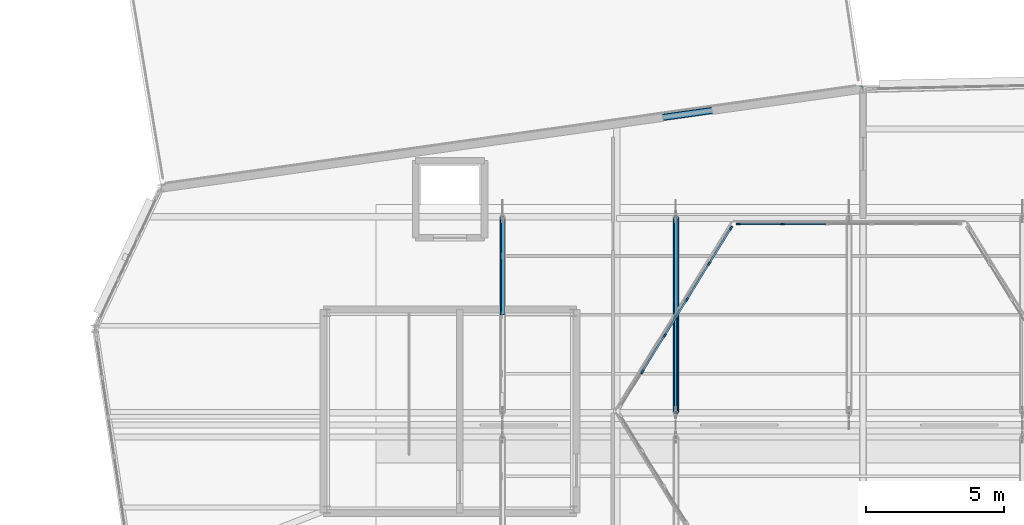
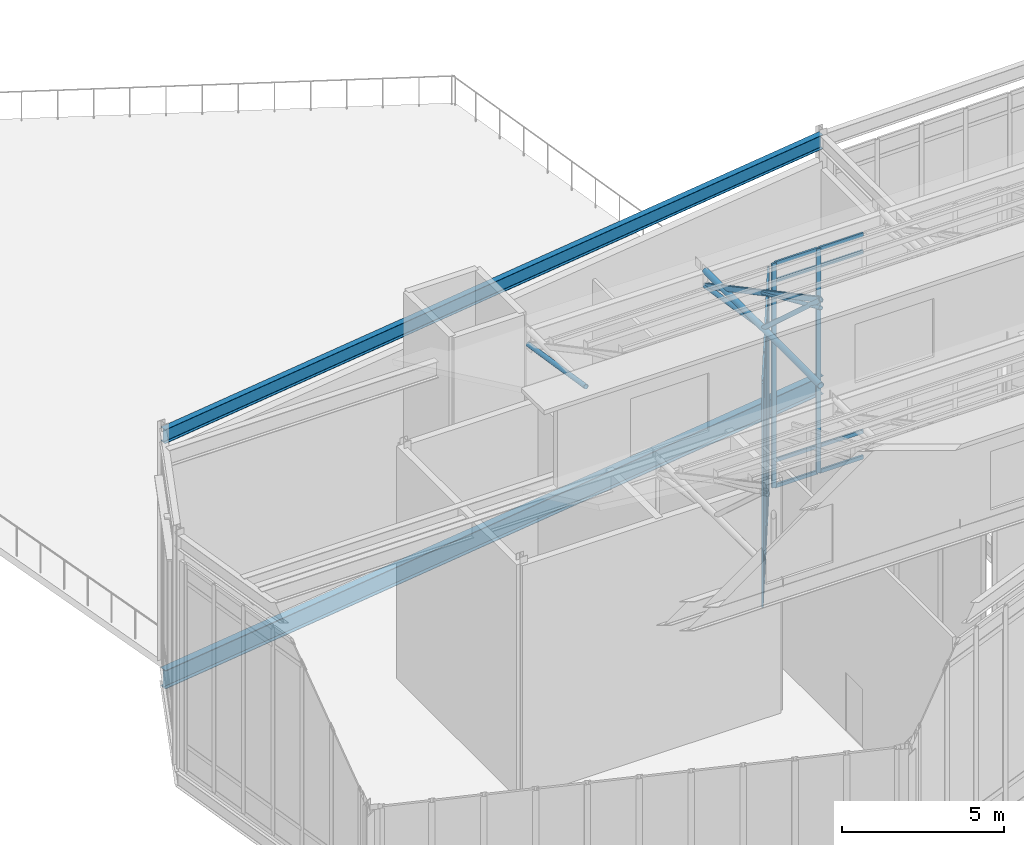
# One storey, part 23 of 66: 37 members, 2 beams, 2 elements without a shape of their own.
"""IFC4 building model written with IfcOpenShell, lengths in metres."""

from ifc_helpers import new_model, si_unit, direction, frame, origin, origin_2d, place, context, subcontext, project, spatial, rectangle, hollow_rectangle, hollow_circle, i_section, extrude, material, material_profile, profile_set, type_object, element, aggregate, save


model = new_model("IFC4")

# Units and contexts
model_context = context("Model", 3, precision=1e-05, world=origin(), true_north=direction((0.0, 1.0)))
body_context = subcontext(model_context, "Body", "Model", "MODEL_VIEW")
ifc_project = project(units=[si_unit("LENGTHUNIT", "METRE"), si_unit("AREAUNIT", "SQUARE_METRE"), si_unit("VOLUMEUNIT", "CUBIC_METRE"), si_unit("PLANEANGLEUNIT", "RADIAN"), si_unit("MASSUNIT", "GRAM", prefix="KILO")], contexts=[model_context])

# Site, building, storey
site_placement = place(None, origin())
site = spatial("IfcSite", under=ifc_project, at=site_placement, CompositionType="ELEMENT")
building_placement = place(site_placement, origin())
building = spatial("IfcBuilding", under=site, at=building_placement, Name="Tameran Prism Museum", CompositionType="ELEMENT")
storey_placement = place(building_placement, frame((0.0, 0.0, 19.800048828125)))
storey = spatial("IfcBuildingStorey", under=building, at=storey_placement, Name="L04", CompositionType="ELEMENT", Elevation=19.800048828125)

# Beams
ifc_material_1 = material(Name="Steel Grade 300PLUS (300 MPa)", Category="steel")
ifc_material_profile_1 = material_profile(ifc_material_1, i_section(OverallWidth=0.208984375, OverallDepth=0.528076171875, WebThickness=0.009521484375, FlangeThickness=0.01318359375, FilletRadius=0.013916015625, at=origin_2d()))
ifc_profile_set_1 = profile_set([ifc_material_profile_1])
beam_type_1 = type_object("IfcBeamType", Name="BM-SP530B", PredefinedType="SPANDREL", material=ifc_profile_set_1)
beam_1_placement = place(storey_placement, frame((77.5, 48.199951171875, 8.505859375), z_axis=(-0.990181921375, -0.139784700815, 0.0), x_axis=(0.139784700815, -0.990181921375, 0.0)))
element("IfcBeam", 1, at=beam_1_placement, inside=storey, type_object=beam_type_1, Name="Roof Ring Beam RB-1165", PredefinedType="SPANDREL", context=body_context, shape_type="SweptSolid", body=[
    extrude(i_section(OverallWidth=0.208984375, OverallDepth=0.528076171875, WebThickness=0.009521484375, FlangeThickness=0.01318359375, FilletRadius=0.013916015625, at=origin_2d()), origin(), (0.0, 0.0, 1.0), 25.7529296875),
])
ifc_material_2 = material(Name="Steel Grade 350 (350 MPa)", Category="steel")
ifc_material_profile_2 = material_profile(ifc_material_2, i_section(OverallWidth=0.25, OverallDepth=0.699951171875, WebThickness=0.010009765625, FlangeThickness=0.02001953125, at=origin_2d()))
ifc_profile_set_2 = profile_set([ifc_material_profile_2])
beam_type_2 = type_object("IfcBeamType", Name="BM-SP700", PredefinedType="SPANDREL", material=ifc_profile_set_2)
beam_2_placement = place(storey_placement, frame((77.5, 48.199951171875, -0.630126953125), z_axis=(-0.990181921375, -0.139784700815, 0.0), x_axis=(0.139784700815, -0.990181921375, 0.0)))
element("IfcBeam", 2, at=beam_2_placement, inside=storey, type_object=beam_type_2, Name="Perimeter Spandrel SP-1159", PredefinedType="SPANDREL", context=body_context, shape_type="SweptSolid", body=[
    extrude(i_section(OverallWidth=0.25, OverallDepth=0.699951171875, WebThickness=0.010009765625, FlangeThickness=0.02001953125, at=origin_2d()), origin(), (0.0, 0.0, 1.0), 25.7529296875),
])

# Curtain wall, members
ifc_material_3 = material(Name="Anodised Aluminium 6063-T6 and Cyclone Solar Glass", Category="aluminium")
curtain_wall_type_1 = type_object("IfcCurtainWallType", Name="CW-ATR-810x844", PredefinedType="USERDEFINED", material=ifc_material_3)
curtain_wall_1_placement = place(storey_placement, origin())
curtain_wall_1 = element("IfcCurtainWall", 3, at=curtain_wall_1_placement, inside=storey, type_object=curtain_wall_type_1, Name="Unitised Curtain Wall CW-019", ObjectType="UNITISED CURTAIN WALL", PredefinedType="USERDEFINED")
ifc_material_4 = material(Name="Anodised Aluminium Alloy 6063-T6", Category="aluminium")
ifc_material_profile_3 = material_profile(ifc_material_4, rectangle(XDim=0.06494140625, YDim=0.159912109375, at=origin_2d()))
ifc_profile_set_3 = profile_set([ifc_material_profile_3])
member_type_1 = type_object("IfcMemberType", Name="CW-MUL-A", PredefinedType="MULLION", material=ifc_profile_set_3)
member_1_placement = place(storey_placement, frame((74.570068359375, 43.300048828125, 0.0), z_axis=(0.0, 0.0, 1.0), x_axis=(0.0, -1.0, 0.0)))
member_1 = element("IfcMember", 4, at=member_1_placement, type_object=member_type_1, Name="CW-019 mullion 5", PredefinedType="MULLION", context=body_context, shape_type="SweptSolid", body=[
    extrude(rectangle(XDim=0.06494140625, YDim=0.159912109375, at=origin_2d()), origin(), (0.0, 0.0, 1.0), 8.43994140625),
])
member_2_placement = place(storey_placement, frame((72.982421875, 43.300048828125, 0.0), z_axis=(0.0, 0.0, 1.0), x_axis=(0.0, -1.0, 0.0)))
member_2 = element("IfcMember", 5, at=member_2_placement, type_object=member_type_1, Name="CW-019 mullion 6", PredefinedType="MULLION", context=body_context, shape_type="SweptSolid", body=[
    extrude(rectangle(XDim=0.06494140625, YDim=0.159912109375, at=origin_2d()), origin(), (0.0, 0.0, 1.0), 8.43994140625),
])

ifc_material_5 = material(Name="Anodised Aluminium 6063-T6 and Cyclone Solar Glass", Category="aluminium")
curtain_wall_type_2 = type_object("IfcCurtainWallType", Name="CW-ATR-769x844", PredefinedType="USERDEFINED", material=ifc_material_5)
curtain_wall_2_placement = place(storey_placement, origin())
curtain_wall_2 = element("IfcCurtainWall", 6, at=curtain_wall_2_placement, inside=storey, type_object=curtain_wall_type_2, Name="Unitised Curtain Wall CW-020", ObjectType="UNITISED CURTAIN WALL", PredefinedType="USERDEFINED")
member_3_placement = place(storey_placement, frame((72.703857421875, 43.144287109375, 0.0), z_axis=(0.0, 0.0, 1.0), x_axis=(0.850791158897, -0.525503952357, 0.0)))
member_3 = element("IfcMember", 7, at=member_3_placement, type_object=member_type_1, Name="CW-020 mullion 1", PredefinedType="MULLION", context=body_context, shape_type="SweptSolid", body=[
    extrude(rectangle(XDim=0.06494140625, YDim=0.159912109375, at=origin_2d()), origin(), (0.0, 0.0, 1.0), 8.43994140625),
])
member_4_placement = place(storey_placement, frame((71.91259765625, 41.86328125, 0.0), z_axis=(0.0, 0.0, 1.0), x_axis=(0.850791158897, -0.525503952357, 0.0)))
member_4 = element("IfcMember", 8, at=member_4_placement, type_object=member_type_1, Name="CW-020 mullion 2", PredefinedType="MULLION", context=body_context, shape_type="SweptSolid", body=[
    extrude(rectangle(XDim=0.06494140625, YDim=0.159912109375, at=origin_2d()), origin(), (0.0, 0.0, 1.0), 8.43994140625),
])
member_5_placement = place(storey_placement, frame((71.104248046875, 40.554443359375, 0.0), z_axis=(0.0, 0.0, 1.0), x_axis=(0.850791158897, -0.525503952357, 0.0)))
member_5 = element("IfcMember", 9, at=member_5_placement, type_object=member_type_1, Name="CW-020 mullion 3", PredefinedType="MULLION", context=body_context, shape_type="SweptSolid", body=[
    extrude(rectangle(XDim=0.06494140625, YDim=0.159912109375, at=origin_2d()), origin(), (0.0, 0.0, 1.0), 8.43994140625),
])
member_6_placement = place(storey_placement, frame((70.2958984375, 39.24560546875, 0.0), z_axis=(0.0, 0.0, 1.0), x_axis=(0.850791158897, -0.525503952357, 0.0)))
member_6 = element("IfcMember", 10, at=member_6_placement, type_object=member_type_1, Name="CW-020 mullion 4", PredefinedType="MULLION", context=body_context, shape_type="SweptSolid", body=[
    extrude(rectangle(XDim=0.06494140625, YDim=0.159912109375, at=origin_2d()), origin(), (0.0, 0.0, 1.0), 8.43994140625),
])
member_7_placement = place(storey_placement, frame((69.4873046875, 37.936767578125, 0.0), z_axis=(0.0, 0.0, 1.0), x_axis=(0.850791158897, -0.525503952357, 0.0)))
member_7 = element("IfcMember", 11, at=member_7_placement, type_object=member_type_1, Name="CW-020 mullion 5", PredefinedType="MULLION", context=body_context, shape_type="SweptSolid", body=[
    extrude(rectangle(XDim=0.06494140625, YDim=0.159912109375, at=origin_2d()), origin(), (0.0, 0.0, 1.0), 8.43994140625),
])

# Member
ifc_material_6 = material(Name="Anodised Aluminium Alloy 6063-T6", Category="aluminium")
ifc_material_profile_4 = material_profile(ifc_material_6, rectangle(XDim=0.06494140625, YDim=0.139892578125, at=origin_2d()))
ifc_profile_set_4 = profile_set([ifc_material_profile_4])
member_type_2 = type_object("IfcMemberType", Name="CW-TRN-A", PredefinedType="USERDEFINED", material=ifc_profile_set_4)
member_8_placement = place(storey_placement, frame((76.157470703125, 43.300048828125, 0.032470703125), z_axis=(-1.0, 0.0, 0.0), x_axis=(0.0, -1.0, 0.0)))
member_8 = element("IfcMember", 12, at=member_8_placement, type_object=member_type_2, Name="CW-019 transom 4.1", ObjectType="TRANSOM", PredefinedType="USERDEFINED", context=body_context, shape_type="SweptSolid", body=[
    extrude(rectangle(XDim=0.06494140625, YDim=0.139892578125, at=origin_2d()), origin(), (0.0, 0.0, 1.0), 1.554931640625),
])

member_9_placement = place(storey_placement, frame((76.157470703125, 43.300048828125, 1.0), z_axis=(-1.0, 0.0, 0.0), x_axis=(0.0, -1.0, 0.0)))
member_9 = element("IfcMember", 13, at=member_9_placement, type_object=member_type_2, Name="CW-019 transom 4.2", ObjectType="TRANSOM", PredefinedType="USERDEFINED", context=body_context, shape_type="SweptSolid", body=[
    extrude(rectangle(XDim=0.06494140625, YDim=0.139892578125, at=origin_2d()), origin(), (0.0, 0.0, 1.0), 1.554931640625),
])

member_10_placement = place(storey_placement, frame((76.157470703125, 43.300048828125, 7.760009765625), z_axis=(-1.0, 0.0, 0.0), x_axis=(0.0, -1.0, 0.0)))
member_10 = element("IfcMember", 14, at=member_10_placement, type_object=member_type_2, Name="CW-019 transom 4.3", ObjectType="TRANSOM", PredefinedType="USERDEFINED", context=body_context, shape_type="SweptSolid", body=[
    extrude(rectangle(XDim=0.06494140625, YDim=0.139892578125, at=origin_2d()), origin(), (0.0, 0.0, 1.0), 1.554931640625),
])

member_11_placement = place(storey_placement, frame((76.157470703125, 43.300048828125, 8.407470703125), z_axis=(-1.0, 0.0, 0.0), x_axis=(0.0, -1.0, 0.0)))
member_11 = element("IfcMember", 15, at=member_11_placement, type_object=member_type_2, Name="CW-019 transom 4.4", ObjectType="TRANSOM", PredefinedType="USERDEFINED", context=body_context, shape_type="SweptSolid", body=[
    extrude(rectangle(XDim=0.06494140625, YDim=0.139892578125, at=origin_2d()), origin(), (0.0, 0.0, 1.0), 1.554931640625),
])

member_12_placement = place(storey_placement, frame((74.53759765625, 43.300048828125, 0.032470703125), z_axis=(-1.0, 0.0, 0.0), x_axis=(0.0, -1.0, 0.0)))
member_12 = element("IfcMember", 16, at=member_12_placement, type_object=member_type_2, Name="CW-019 transom 5.1", ObjectType="TRANSOM", PredefinedType="USERDEFINED", context=body_context, shape_type="SweptSolid", body=[
    extrude(rectangle(XDim=0.06494140625, YDim=0.139892578125, at=origin_2d()), origin(), (0.0, 0.0, 1.0), 1.522705078125),
])

member_13_placement = place(storey_placement, frame((74.53759765625, 43.300048828125, 1.0), z_axis=(-1.0, 0.0, 0.0), x_axis=(0.0, -1.0, 0.0)))
member_13 = element("IfcMember", 17, at=member_13_placement, type_object=member_type_2, Name="CW-019 transom 5.2", ObjectType="TRANSOM", PredefinedType="USERDEFINED", context=body_context, shape_type="SweptSolid", body=[
    extrude(rectangle(XDim=0.06494140625, YDim=0.139892578125, at=origin_2d()), origin(), (0.0, 0.0, 1.0), 1.522705078125),
])

member_14_placement = place(storey_placement, frame((74.53759765625, 43.300048828125, 7.760009765625), z_axis=(-1.0, 0.0, 0.0), x_axis=(0.0, -1.0, 0.0)))
member_14 = element("IfcMember", 18, at=member_14_placement, type_object=member_type_2, Name="CW-019 transom 5.3", ObjectType="TRANSOM", PredefinedType="USERDEFINED", context=body_context, shape_type="SweptSolid", body=[
    extrude(rectangle(XDim=0.06494140625, YDim=0.139892578125, at=origin_2d()), origin(), (0.0, 0.0, 1.0), 1.522705078125),
])

member_15_placement = place(storey_placement, frame((74.53759765625, 43.300048828125, 8.407470703125), z_axis=(-1.0, 0.0, 0.0), x_axis=(0.0, -1.0, 0.0)))
member_15 = element("IfcMember", 19, at=member_15_placement, type_object=member_type_2, Name="CW-019 transom 5.4", ObjectType="TRANSOM", PredefinedType="USERDEFINED", context=body_context, shape_type="SweptSolid", body=[
    extrude(rectangle(XDim=0.06494140625, YDim=0.139892578125, at=origin_2d()), origin(), (0.0, 0.0, 1.0), 1.522705078125),
])

aggregate(curtain_wall_1, [member_1, member_2, member_8, member_9, member_10, member_11, member_12, member_13, member_14, member_15])

member_16_placement = place(storey_placement, frame((72.686767578125, 43.11669921875, 0.032470703125), z_axis=(-0.525467627301, -0.850813594543, 0.0), x_axis=(0.850813594543, -0.525467627301, 0.0)))
member_16 = element("IfcMember", 20, at=member_16_placement, type_object=member_type_2, Name="CW-020 transom 1.1", ObjectType="TRANSOM", PredefinedType="USERDEFINED", context=body_context, shape_type="SweptSolid", body=[
    extrude(rectangle(XDim=0.06494140625, YDim=0.139892578125, at=origin_2d()), origin(), (0.0, 0.0, 1.0), 1.440673828125),
])

member_17_placement = place(storey_placement, frame((72.686767578125, 43.11669921875, 1.0), z_axis=(-0.525467627301, -0.850813594543, 0.0), x_axis=(0.850813594543, -0.525467627301, 0.0)))
member_17 = element("IfcMember", 21, at=member_17_placement, type_object=member_type_2, Name="CW-020 transom 1.2", ObjectType="TRANSOM", PredefinedType="USERDEFINED", context=body_context, shape_type="SweptSolid", body=[
    extrude(rectangle(XDim=0.06494140625, YDim=0.139892578125, at=origin_2d()), origin(), (0.0, 0.0, 1.0), 1.440673828125),
])

member_18_placement = place(storey_placement, frame((72.686767578125, 43.11669921875, 7.760009765625), z_axis=(-0.525467627301, -0.850813594543, 0.0), x_axis=(0.850813594543, -0.525467627301, 0.0)))
member_18 = element("IfcMember", 22, at=member_18_placement, type_object=member_type_2, Name="CW-020 transom 1.3", ObjectType="TRANSOM", PredefinedType="USERDEFINED", context=body_context, shape_type="SweptSolid", body=[
    extrude(rectangle(XDim=0.06494140625, YDim=0.139892578125, at=origin_2d()), origin(), (0.0, 0.0, 1.0), 1.440673828125),
])

member_19_placement = place(storey_placement, frame((72.686767578125, 43.11669921875, 8.407470703125), z_axis=(-0.525467627301, -0.850813594543, 0.0), x_axis=(0.850813594543, -0.525467627301, 0.0)))
member_19 = element("IfcMember", 23, at=member_19_placement, type_object=member_type_2, Name="CW-020 transom 1.4", ObjectType="TRANSOM", PredefinedType="USERDEFINED", context=body_context, shape_type="SweptSolid", body=[
    extrude(rectangle(XDim=0.06494140625, YDim=0.139892578125, at=origin_2d()), origin(), (0.0, 0.0, 1.0), 1.440673828125),
])

member_20_placement = place(storey_placement, frame((71.8955078125, 41.83544921875, 0.032470703125), z_axis=(-0.525492880722, -0.850797997359, 0.0), x_axis=(0.850797997359, -0.525492880722, 0.0)))
member_20 = element("IfcMember", 24, at=member_20_placement, type_object=member_type_2, Name="CW-020 transom 2.1", ObjectType="TRANSOM", PredefinedType="USERDEFINED", context=body_context, shape_type="SweptSolid", body=[
    extrude(rectangle(XDim=0.06494140625, YDim=0.139892578125, at=origin_2d()), origin(), (0.0, 0.0, 1.0), 1.47314453125),
])

member_21_placement = place(storey_placement, frame((71.8955078125, 41.83544921875, 1.0), z_axis=(-0.525492880722, -0.850797997359, 0.0), x_axis=(0.850797997359, -0.525492880722, 0.0)))
member_21 = element("IfcMember", 25, at=member_21_placement, type_object=member_type_2, Name="CW-020 transom 2.2", ObjectType="TRANSOM", PredefinedType="USERDEFINED", context=body_context, shape_type="SweptSolid", body=[
    extrude(rectangle(XDim=0.06494140625, YDim=0.139892578125, at=origin_2d()), origin(), (0.0, 0.0, 1.0), 1.47314453125),
])

member_22_placement = place(storey_placement, frame((71.8955078125, 41.83544921875, 7.760009765625), z_axis=(-0.525492880722, -0.850797997359, 0.0), x_axis=(0.850797997359, -0.525492880722, 0.0)))
member_22 = element("IfcMember", 26, at=member_22_placement, type_object=member_type_2, Name="CW-020 transom 2.3", ObjectType="TRANSOM", PredefinedType="USERDEFINED", context=body_context, shape_type="SweptSolid", body=[
    extrude(rectangle(XDim=0.06494140625, YDim=0.139892578125, at=origin_2d()), origin(), (0.0, 0.0, 1.0), 1.47314453125),
])

member_23_placement = place(storey_placement, frame((71.8955078125, 41.83544921875, 8.407470703125), z_axis=(-0.525492880722, -0.850797997359, 0.0), x_axis=(0.850797997359, -0.525492880722, 0.0)))
member_23 = element("IfcMember", 27, at=member_23_placement, type_object=member_type_2, Name="CW-020 transom 2.4", ObjectType="TRANSOM", PredefinedType="USERDEFINED", context=body_context, shape_type="SweptSolid", body=[
    extrude(rectangle(XDim=0.06494140625, YDim=0.139892578125, at=origin_2d()), origin(), (0.0, 0.0, 1.0), 1.47314453125),
])

member_24_placement = place(storey_placement, frame((71.087158203125, 40.52685546875, 0.032470703125), z_axis=(-0.525418798442, -0.850843749606, 0.0), x_axis=(0.850843749606, -0.525418798442, 0.0)))
member_24 = element("IfcMember", 28, at=member_24_placement, type_object=member_type_2, Name="CW-020 transom 3.1", ObjectType="TRANSOM", PredefinedType="USERDEFINED", context=body_context, shape_type="SweptSolid", body=[
    extrude(rectangle(XDim=0.06494140625, YDim=0.139892578125, at=origin_2d()), origin(), (0.0, 0.0, 1.0), 1.473388671875),
])

member_25_placement = place(storey_placement, frame((71.087158203125, 40.52685546875, 1.0), z_axis=(-0.525418798442, -0.850843749606, 0.0), x_axis=(0.850843749606, -0.525418798442, 0.0)))
member_25 = element("IfcMember", 29, at=member_25_placement, type_object=member_type_2, Name="CW-020 transom 3.2", ObjectType="TRANSOM", PredefinedType="USERDEFINED", context=body_context, shape_type="SweptSolid", body=[
    extrude(rectangle(XDim=0.06494140625, YDim=0.139892578125, at=origin_2d()), origin(), (0.0, 0.0, 1.0), 1.473388671875),
])

member_26_placement = place(storey_placement, frame((71.087158203125, 40.52685546875, 7.760009765625), z_axis=(-0.525418798442, -0.850843749606, 0.0), x_axis=(0.850843749606, -0.525418798442, 0.0)))
member_26 = element("IfcMember", 30, at=member_26_placement, type_object=member_type_2, Name="CW-020 transom 3.3", ObjectType="TRANSOM", PredefinedType="USERDEFINED", context=body_context, shape_type="SweptSolid", body=[
    extrude(rectangle(XDim=0.06494140625, YDim=0.139892578125, at=origin_2d()), origin(), (0.0, 0.0, 1.0), 1.473388671875),
])

member_27_placement = place(storey_placement, frame((71.087158203125, 40.52685546875, 8.407470703125), z_axis=(-0.525418798442, -0.850843749606, 0.0), x_axis=(0.850843749606, -0.525418798442, 0.0)))
member_27 = element("IfcMember", 31, at=member_27_placement, type_object=member_type_2, Name="CW-020 transom 3.4", ObjectType="TRANSOM", PredefinedType="USERDEFINED", context=body_context, shape_type="SweptSolid", body=[
    extrude(rectangle(XDim=0.06494140625, YDim=0.139892578125, at=origin_2d()), origin(), (0.0, 0.0, 1.0), 1.473388671875),
])

member_28_placement = place(storey_placement, frame((70.27880859375, 39.218017578125, 0.032470703125), z_axis=(-0.525538735192, -0.850769673774, 0.0), x_axis=(0.850769673774, -0.525538735192, 0.0)))
member_28 = element("IfcMember", 32, at=member_28_placement, type_object=member_type_2, Name="CW-020 transom 4.1", ObjectType="TRANSOM", PredefinedType="USERDEFINED", context=body_context, shape_type="SweptSolid", body=[
    extrude(rectangle(XDim=0.06494140625, YDim=0.139892578125, at=origin_2d()), origin(), (0.0, 0.0, 1.0), 1.4736328125),
])

member_29_placement = place(storey_placement, frame((70.27880859375, 39.218017578125, 1.0), z_axis=(-0.525538735192, -0.850769673774, 0.0), x_axis=(0.850769673774, -0.525538735192, 0.0)))
member_29 = element("IfcMember", 33, at=member_29_placement, type_object=member_type_2, Name="CW-020 transom 4.2", ObjectType="TRANSOM", PredefinedType="USERDEFINED", context=body_context, shape_type="SweptSolid", body=[
    extrude(rectangle(XDim=0.06494140625, YDim=0.139892578125, at=origin_2d()), origin(), (0.0, 0.0, 1.0), 1.4736328125),
])

member_30_placement = place(storey_placement, frame((70.27880859375, 39.218017578125, 7.760009765625), z_axis=(-0.525538735192, -0.850769673774, 0.0), x_axis=(0.850769673774, -0.525538735192, 0.0)))
member_30 = element("IfcMember", 34, at=member_30_placement, type_object=member_type_2, Name="CW-020 transom 4.3", ObjectType="TRANSOM", PredefinedType="USERDEFINED", context=body_context, shape_type="SweptSolid", body=[
    extrude(rectangle(XDim=0.06494140625, YDim=0.139892578125, at=origin_2d()), origin(), (0.0, 0.0, 1.0), 1.4736328125),
])

member_31_placement = place(storey_placement, frame((70.27880859375, 39.218017578125, 8.407470703125), z_axis=(-0.525538735192, -0.850769673774, 0.0), x_axis=(0.850769673774, -0.525538735192, 0.0)))
member_31 = element("IfcMember", 35, at=member_31_placement, type_object=member_type_2, Name="CW-020 transom 4.4", ObjectType="TRANSOM", PredefinedType="USERDEFINED", context=body_context, shape_type="SweptSolid", body=[
    extrude(rectangle(XDim=0.06494140625, YDim=0.139892578125, at=origin_2d()), origin(), (0.0, 0.0, 1.0), 1.4736328125),
])

aggregate(curtain_wall_2, [member_3, member_4, member_5, member_6, member_7, member_16, member_17, member_18, member_19, member_20, member_21, member_22, member_23, member_24, member_25, member_26, member_27, member_28, member_29, member_30, member_31])

# Members
ifc_material_7 = material(Name="Steel Grade C350L0 (350 MPa)", Category="steel")
ifc_material_profile_5 = material_profile(ifc_material_7, hollow_circle(Radius=0.084228515625, WallThickness=0.007080078125, at=origin_2d()))
ifc_profile_set_5 = profile_set([ifc_material_profile_5])
member_type_3 = type_object("IfcMemberType", Name="MM-BR-CHS168", PredefinedType="BRACE", material=ifc_profile_set_5)
member_32_placement = place(storey_placement, frame((64.39990234375, 40.0, 8.785888671875), z_axis=(0.0, 0.987767358806, -0.155934745575), x_axis=(-1.0, 0.0, 0.0)))
element("IfcMember", 36, at=member_32_placement, inside=storey, type_object=member_type_3, Name="Sawtooth Brace STM-0195", PredefinedType="BRACE", context=body_context, shape_type="SweptSolid", body=[
    extrude(hollow_circle(Radius=0.084228515625, WallThickness=0.007080078125, at=origin_2d()), origin(), (0.0, 0.0, 1.0), 3.604248046875),
])
member_33_placement = place(storey_placement, frame((70.699951171875, 40.0, 8.785888671875), z_axis=(0.0, -0.739772474497, 0.672857106656), x_axis=(1.0, 0.0, 0.0)))
element("IfcMember", 37, at=member_33_placement, inside=storey, type_object=member_type_3, Name="Sawtooth Brace STM-0201", PredefinedType="BRACE", context=body_context, shape_type="SweptSolid", body=[
    extrude(hollow_circle(Radius=0.084228515625, WallThickness=0.007080078125, at=origin_2d()), origin(), (0.0, 0.0, 1.0), 4.812255859375),
])
member_34_placement = place(storey_placement, frame((70.699951171875, 40.0, 8.785888671875), z_axis=(0.0, 0.987767358806, -0.155934745575), x_axis=(-1.0, 0.0, 0.0)))
element("IfcMember", 38, at=member_34_placement, inside=storey, type_object=member_type_3, Name="Sawtooth Brace STM-0202", PredefinedType="BRACE", context=body_context, shape_type="SweptSolid", body=[
    extrude(hollow_circle(Radius=0.084228515625, WallThickness=0.007080078125, at=origin_2d()), origin(), (0.0, 0.0, 1.0), 3.604248046875),
])
ifc_material_8 = material(Name="Steel Grade C350L0 (350 MPa)", Category="steel")
ifc_material_profile_6 = material_profile(ifc_material_8, hollow_circle(Radius=0.109619140625, WallThickness=0.00830078125, at=origin_2d()))
ifc_profile_set_6 = profile_set([ifc_material_profile_6])
member_type_4 = type_object("IfcMemberType", Name="MM-CH-CHS219", PredefinedType="CHORD", material=ifc_profile_set_6)
member_35_placement = place(storey_placement, frame((70.699951171875, 36.43994140625, 8.785888671875), z_axis=(0.0, 1.0, 0.0), x_axis=(-1.0, 0.0, 0.0)))
element("IfcMember", 39, at=member_35_placement, inside=storey, type_object=member_type_4, Name="Sawtooth Chord STM-0197", PredefinedType="CHORD", context=body_context, shape_type="SweptSolid", body=[
    extrude(hollow_circle(Radius=0.109619140625, WallThickness=0.00830078125, at=origin_2d()), origin(), (0.0, 0.0, 1.0), 7.1201171875),
])
ifc_material_9 = material(Name="Steel Grade C350L0 (350 MPa)", Category="steel")
ifc_material_profile_7 = material_profile(ifc_material_9, hollow_rectangle(XDim=0.10009765625, YDim=0.199951171875, WallThickness=0.008056640625, InnerFilletRadius=0.011962890625, OuterFilletRadius=0.02001953125, at=origin_2d()))
ifc_profile_set_7 = profile_set([ifc_material_profile_7])
member_type_5 = type_object("IfcMemberType", Name="MM-RF-RHS200", PredefinedType="RAFTER", material=ifc_profile_set_7)
member_36_placement = place(storey_placement, frame((70.699951171875, 36.43994140625, 12.02392578125), z_axis=(0.0, 0.882216411875, -0.47084413835), x_axis=(-1.0, 0.0, 0.0)))
element("IfcMember", 40, at=member_36_placement, inside=storey, type_object=member_type_5, Name="Sawtooth Rafter STM-0198", PredefinedType="RAFTER", context=body_context, shape_type="SweptSolid", body=[
    extrude(hollow_rectangle(XDim=0.10009765625, YDim=0.199951171875, WallThickness=0.008056640625, InnerFilletRadius=0.011962890625, OuterFilletRadius=0.02001953125, at=origin_2d()), origin(), (0.0, 0.0, 1.0), 8.07080078125),
])
ifc_material_10 = material(Name="Steel Grade C350L0 (350 MPa)", Category="steel")
ifc_material_profile_8 = material_profile(ifc_material_10, hollow_circle(Radius=0.06982421875, WallThickness=0.00634765625, at=origin_2d()))
ifc_profile_set_8 = profile_set([ifc_material_profile_8])
member_type_6 = type_object("IfcMemberType", Name="MM-ST-CHS140", PredefinedType="STRUT", material=ifc_profile_set_8)
member_37_placement = place(storey_placement, frame((70.699951171875, 36.43994140625, 11.703857421875), z_axis=(0.0, 0.914041454577, -0.405620782647), x_axis=(-1.0, 0.0, 0.0)))
element("IfcMember", 41, at=member_37_placement, inside=storey, type_object=member_type_6, Name="Sawtooth Strut STM-0203", PredefinedType="STRUT", context=body_context, shape_type="SweptSolid", body=[
    extrude(hollow_circle(Radius=0.06982421875, WallThickness=0.00634765625, at=origin_2d()), origin(), (0.0, 0.0, 1.0), 3.894775390625),
])

save(model, "model.ifc")
